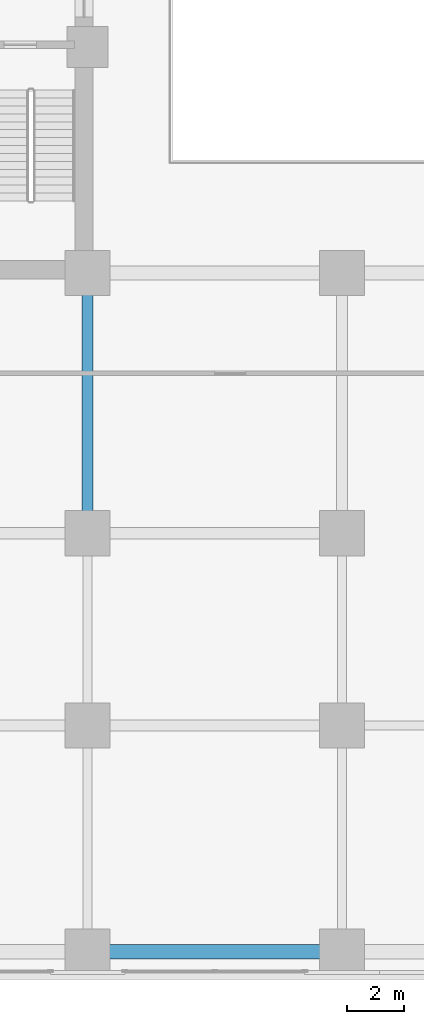
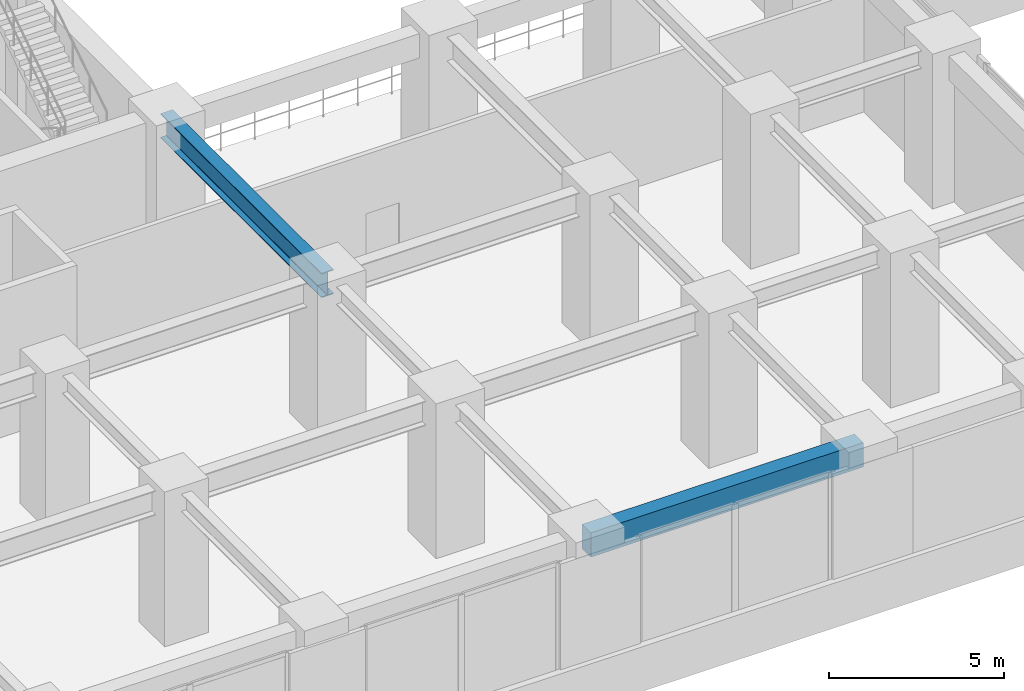
# One storey, part 8 of 33: 2 beams.
"""IFC4 building model written with IfcOpenShell, lengths in metres."""

from ifc_helpers import new_model, si_unit, direction, frame, origin, origin_2d, place, context, subcontext, project, spatial, rectangle, i_section, extrude, source, transform, mapped, material, material_profile, profile_set, type_object, element, save


model = new_model("IFC4")

# Units and contexts
model_context = context("Model", 3, precision=1e-05, world=origin(), true_north=direction((0.0, 1.0)))
body_context = subcontext(model_context, "Body", "Model", "MODEL_VIEW")
ifc_project = project(units=[si_unit("LENGTHUNIT", "METRE"), si_unit("AREAUNIT", "SQUARE_METRE"), si_unit("VOLUMEUNIT", "CUBIC_METRE"), si_unit("PLANEANGLEUNIT", "RADIAN"), si_unit("MASSUNIT", "GRAM", prefix="KILO")], contexts=[model_context])

# Site, building, storey
site_placement = place(None, origin())
site = spatial("IfcSite", under=ifc_project, at=site_placement, CompositionType="ELEMENT")
building_placement = place(site_placement, origin())
building = spatial("IfcBuilding", under=site, at=building_placement, Name="Torre Montelarca", CompositionType="ELEMENT")
storey_placement = place(building_placement, frame((0.0, 0.0, 12.0)))
storey = spatial("IfcBuildingStorey", under=building, at=storey_placement, Name="L03", CompositionType="ELEMENT", Elevation=12.0)

# Beams
ifc_material_1 = material(Name="Concrete C55/67", Category="concrete")
ifc_material_profile_1 = material_profile(ifc_material_1, rectangle(XDim=0.5, YDim=0.85009765625, at=origin_2d()), Name="RCB500X850", Category="concrete")
ifc_profile_set_1 = profile_set([ifc_material_profile_1], Name="Concrete C55/67")
beam_type_1 = type_object("IfcBeamType", Name="BM-SP-RC850-EXT", PredefinedType="SPANDREL", material=ifc_profile_set_1)
shared_shape_1 = source(origin(), body_context, "Body", "SweptSolid", [
    extrude(rectangle(XDim=0.5, YDim=0.85009765625, at=origin_2d()), origin(), (0.0, 0.0, 1.0), 9.0),
])
beam_1_placement = place(storey_placement, frame((27.0, 0.0, 4.715087890625), z_axis=(1.0, 0.0, 0.0), x_axis=(0.0, 1.0, 0.0)))
element("IfcBeam", 1, at=beam_1_placement, inside=storey, type_object=beam_type_1, Name="L03 Grid Girder X 27.0-36.0 at Y=0.0", PredefinedType="SPANDREL", context=body_context, shape_type="MappedRepresentation", body=[
    mapped(shared_shape_1, transform((0.0, 0.0, 0.0), scale=1.0)),
])
ifc_material_2 = material(Name="Steel ASTM A992 Grade 50", Category="steel")
ifc_material_profile_2 = material_profile(ifc_material_2, i_section(OverallWidth=0.39990234375, OverallDepth=0.85498046875, WebThickness=0.018310546875, FlangeThickness=0.029296875, FilletRadius=0.02001953125, at=origin_2d()), Name="W840X299", Category="steel")
ifc_profile_set_2 = profile_set([ifc_material_profile_2], Name="Steel ASTM A992 Grade 50")
beam_type_2 = type_object("IfcBeamType", Name="BM-G-W840", PredefinedType="BEAM", material=ifc_profile_set_2)
shared_shape_2 = source(origin(), body_context, "Body", "SweptSolid", [
    extrude(i_section(OverallWidth=0.39990234375, OverallDepth=0.85498046875, WebThickness=0.018310546875, FlangeThickness=0.029296875, FilletRadius=0.02001953125, at=origin_2d()), origin(), (0.0, 0.0, 1.0), 9.199951171875),
])
beam_2_placement = place(storey_placement, frame((27.0, 14.800048828125, 4.7119140625), z_axis=(0.0, 1.0, 0.0), x_axis=(-1.0, 0.0, 0.0)))
element("IfcBeam", 2, at=beam_2_placement, inside=storey, type_object=beam_type_2, Name="L03 Grid Girder Y 14.8-24.0 at X=27.0", PredefinedType="BEAM", context=body_context, shape_type="MappedRepresentation", body=[
    mapped(shared_shape_2, transform((0.0, 0.0, 0.0), scale=1.0)),
])

save(model, "model.ifc")
